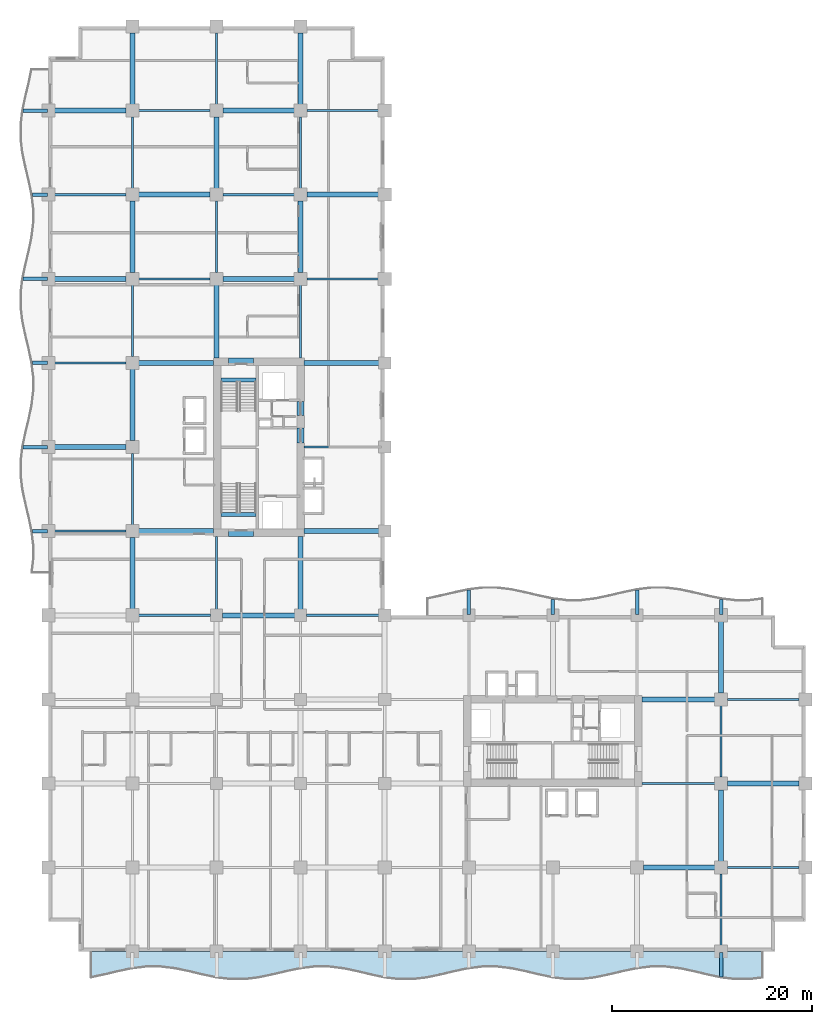
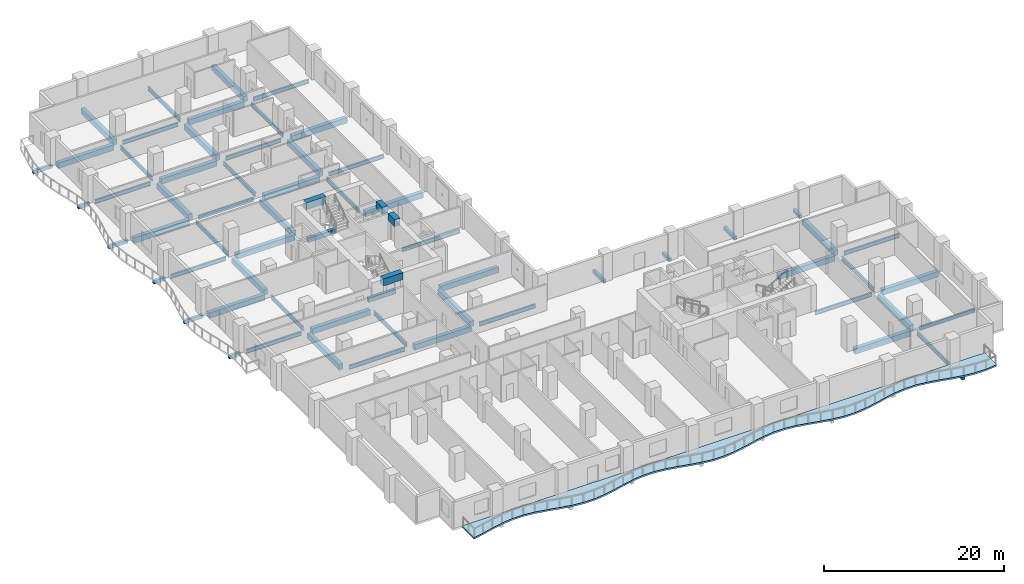
# One storey, part 2 of 17: 67 beams, 1 slab.
"""IFC4 building model written with IfcOpenShell, lengths in metres."""

from ifc_helpers import new_model, si_unit, direction, frame, origin, origin_2d, place, context, subcontext, project, spatial, polyline, rectangle, i_section, outline, extrude, material, layer, layer_set, material_profile, profile_set, type_object, element, save


model = new_model("IFC4")

# Units and contexts
model_context = context("Model", 3, precision=1e-05, world=origin(), true_north=direction((0.0, 1.0)))
body_context = subcontext(model_context, "Body", "Model", "MODEL_VIEW")
ifc_project = project(units=[si_unit("LENGTHUNIT", "METRE"), si_unit("AREAUNIT", "SQUARE_METRE"), si_unit("VOLUMEUNIT", "CUBIC_METRE"), si_unit("PLANEANGLEUNIT", "RADIAN"), si_unit("MASSUNIT", "GRAM", prefix="KILO")], contexts=[model_context])

# Site, building, storey
site_placement = place(None, origin())
site = spatial("IfcSite", under=ifc_project, at=site_placement, CompositionType="ELEMENT")
building_placement = place(site_placement, origin())
building = spatial("IfcBuilding", under=site, at=building_placement, Name="Koriwani Terraces Tower", CompositionType="ELEMENT")
storey_placement = place(building_placement, frame((0.0, 0.0, 122.800048828125)))
storey = spatial("IfcBuildingStorey", under=building, at=storey_placement, Name="L29", CompositionType="ELEMENT", Elevation=122.800048828125)

# Beams
ifc_material_1 = material(Name="Concrete C40/50", Category="concrete")
ifc_material_profile_1 = material_profile(ifc_material_1, rectangle(XDim=0.35009765625, YDim=0.449951171875, at=origin_2d()), Name="Concrete C40/50", Category="LoadBearing")
ifc_profile_set_1 = profile_set([ifc_material_profile_1], Name="Concrete C40/50")
beam_type_1 = type_object("IfcBeamType", Name="BEAM_RC_BALCONY_RIB_350X450", PredefinedType="JOIST", material=ifc_profile_set_1)
beam_1_placement = place(storey_placement, frame((67.199951171875, -2.509521484375, -0.47509765625), z_axis=(0.0, 1.0, 0.0), x_axis=(-1.0, 0.0, 0.0)))
element("IfcBeam", 1, at=beam_1_placement, inside=storey, type_object=beam_type_1, Name="L29 Balcony Bracket Rib S-8", PredefinedType="JOIST", context=body_context, shape_type="SweptSolid", body=[
    extrude(rectangle(XDim=0.35009765625, YDim=0.449951171875, at=origin_2d()), origin(), (0.0, 0.0, 1.0), 2.409423828125),
])
beam_2_placement = place(storey_placement, frame((-1.59033203125, 42.0, -0.47509765625), z_axis=(1.0, 0.0, 0.0), x_axis=(0.0, 1.0, 0.0)))
element("IfcBeam", 2, at=beam_2_placement, inside=storey, type_object=beam_type_1, Name="L29 Balcony Bracket Rib W-1", PredefinedType="JOIST", context=body_context, shape_type="SweptSolid", body=[
    extrude(rectangle(XDim=0.35009765625, YDim=0.449951171875, at=origin_2d()), origin(), (0.0, 0.0, 1.0), 1.490234375),
])
beam_3_placement = place(storey_placement, frame((-2.509521484375, 50.39990234375, -0.47509765625), z_axis=(1.0, 0.0, 0.0), x_axis=(0.0, 1.0, 0.0)))
element("IfcBeam", 3, at=beam_3_placement, inside=storey, type_object=beam_type_1, Name="L29 Balcony Bracket Rib W-2", PredefinedType="JOIST", context=body_context, shape_type="SweptSolid", body=[
    extrude(rectangle(XDim=0.35009765625, YDim=0.449951171875, at=origin_2d()), origin(), (0.0, 0.0, 1.0), 2.409423828125),
])
beam_4_placement = place(storey_placement, frame((-1.59033203125, 58.800048828125, -0.47509765625), z_axis=(1.0, 0.0, 0.0), x_axis=(0.0, 1.0, 0.0)))
element("IfcBeam", 4, at=beam_4_placement, inside=storey, type_object=beam_type_1, Name="L29 Balcony Bracket Rib W-3", PredefinedType="JOIST", context=body_context, shape_type="SweptSolid", body=[
    extrude(rectangle(XDim=0.35009765625, YDim=0.449951171875, at=origin_2d()), origin(), (0.0, 0.0, 1.0), 1.490234375),
])
beam_5_placement = place(storey_placement, frame((-2.509521484375, 67.199951171875, -0.47509765625), z_axis=(1.0, 0.0, 0.0), x_axis=(0.0, 1.0, 0.0)))
element("IfcBeam", 5, at=beam_5_placement, inside=storey, type_object=beam_type_1, Name="L29 Balcony Bracket Rib W-4", PredefinedType="JOIST", context=body_context, shape_type="SweptSolid", body=[
    extrude(rectangle(XDim=0.35009765625, YDim=0.449951171875, at=origin_2d()), origin(), (0.0, 0.0, 1.0), 2.409423828125),
])
beam_6_placement = place(storey_placement, frame((-1.59033203125, 75.60009765625, -0.47509765625), z_axis=(1.0, 0.0, 0.0), x_axis=(0.0, 1.0, 0.0)))
element("IfcBeam", 6, at=beam_6_placement, inside=storey, type_object=beam_type_1, Name="L29 Balcony Bracket Rib W-5", PredefinedType="JOIST", context=body_context, shape_type="SweptSolid", body=[
    extrude(rectangle(XDim=0.35009765625, YDim=0.449951171875, at=origin_2d()), origin(), (0.0, 0.0, 1.0), 1.490234375),
])
beam_7_placement = place(storey_placement, frame((-2.509521484375, 84.0, -0.47509765625), z_axis=(1.0, 0.0, 0.0), x_axis=(0.0, 1.0, 0.0)))
element("IfcBeam", 7, at=beam_7_placement, inside=storey, type_object=beam_type_1, Name="L29 Balcony Bracket Rib W-6", PredefinedType="JOIST", context=body_context, shape_type="SweptSolid", body=[
    extrude(rectangle(XDim=0.35009765625, YDim=0.449951171875, at=origin_2d()), origin(), (0.0, 0.0, 1.0), 2.409423828125),
])
beam_8_placement = place(storey_placement, frame((42.0, 33.699951171875, -0.47509765625), z_axis=(0.0, 1.0, 0.0), x_axis=(-1.0, 0.0, 0.0)))
element("IfcBeam", 8, at=beam_8_placement, inside=storey, type_object=beam_type_1, Name="L29 Balcony Bracket Rib NE-1", PredefinedType="JOIST", context=body_context, shape_type="SweptSolid", body=[
    extrude(rectangle(XDim=0.35009765625, YDim=0.449951171875, at=origin_2d()), origin(), (0.0, 0.0, 1.0), 2.40966796875),
])
beam_9_placement = place(storey_placement, frame((50.39990234375, 33.699951171875, -0.47509765625), z_axis=(0.0, 1.0, 0.0), x_axis=(-1.0, 0.0, 0.0)))
element("IfcBeam", 9, at=beam_9_placement, inside=storey, type_object=beam_type_1, Name="L29 Balcony Bracket Rib NE-2", PredefinedType="JOIST", context=body_context, shape_type="SweptSolid", body=[
    extrude(rectangle(XDim=0.35009765625, YDim=0.449951171875, at=origin_2d()), origin(), (0.0, 0.0, 1.0), 1.490478515625),
])
beam_10_placement = place(storey_placement, frame((58.800048828125, 33.699951171875, -0.47509765625), z_axis=(0.0, 1.0, 0.0), x_axis=(-1.0, 0.0, 0.0)))
element("IfcBeam", 10, at=beam_10_placement, inside=storey, type_object=beam_type_1, Name="L29 Balcony Bracket Rib NE-3", PredefinedType="JOIST", context=body_context, shape_type="SweptSolid", body=[
    extrude(rectangle(XDim=0.35009765625, YDim=0.449951171875, at=origin_2d()), origin(), (0.0, 0.0, 1.0), 2.40966796875),
])
beam_11_placement = place(storey_placement, frame((67.199951171875, 33.699951171875, -0.47509765625), z_axis=(0.0, 1.0, 0.0), x_axis=(-1.0, 0.0, 0.0)))
element("IfcBeam", 11, at=beam_11_placement, inside=storey, type_object=beam_type_1, Name="L29 Balcony Bracket Rib NE-4", PredefinedType="JOIST", context=body_context, shape_type="SweptSolid", body=[
    extrude(rectangle(XDim=0.35009765625, YDim=0.449951171875, at=origin_2d()), origin(), (0.0, 0.0, 1.0), 1.490478515625),
])
ifc_material_2 = material(Name="Concrete C60/75", Category="concrete")
ifc_material_profile_2 = material_profile(ifc_material_2, rectangle(XDim=0.699951171875, YDim=0.949951171875, at=origin_2d()), Name="Concrete C60/75", Category="LoadBearing")
ifc_profile_set_2 = profile_set([ifc_material_profile_2], Name="Concrete C60/75")
beam_type_2 = type_object("IfcBeamType", Name="BEAM_RC_COUPLING_700X950", PredefinedType="LINTEL", material=ifc_profile_set_2)
beam_12_placement = place(storey_placement, frame((25.199951171875, 50.800048828125, 3.074951171875), z_axis=(0.0, 1.0, 0.0), x_axis=(-1.0, 0.0, 0.0)))
element("IfcBeam", 12, at=beam_12_placement, inside=storey, type_object=beam_type_2, Name="L29 Core Coupling Lintel Beam WE1", PredefinedType="LINTEL", context=body_context, shape_type="SweptSolid", body=[
    extrude(rectangle(XDim=0.699951171875, YDim=0.949951171875, at=origin_2d()), origin(), (0.0, 0.0, 1.0), 1.47998046875),
])
beam_13_placement = place(storey_placement, frame((25.199951171875, 53.550048828125, 3.074951171875), z_axis=(0.0, 1.0, 0.0), x_axis=(-1.0, 0.0, 0.0)))
element("IfcBeam", 13, at=beam_13_placement, inside=storey, type_object=beam_type_2, Name="L29 Core Coupling Lintel Beam WE2", PredefinedType="LINTEL", context=body_context, shape_type="SweptSolid", body=[
    extrude(rectangle(XDim=0.699951171875, YDim=0.949951171875, at=origin_2d()), origin(), (0.0, 0.0, 1.0), 1.39990234375),
])
for number, where, z_axis, x_axis, name in (
    (14, (18.0, 41.824951171875, 3.074951171875), (1.0, 0.0, 0.0), (0.0, 1.0, 0.0), "L29 Core Coupling Lintel Beam WS"),
    (15, (18.0, 58.925048828125, 3.074951171875), (1.0, 0.0, 0.0), (0.0, 1.0, 0.0), "L29 Core Coupling Lintel Beam WN"),
):
    element("IfcBeam", number, at=place(storey_placement, frame(where, z_axis=z_axis, x_axis=x_axis)), inside=storey, type_object=beam_type_2, Name=name, PredefinedType="LINTEL", context=body_context, shape_type="SweptSolid", body=[
        extrude(rectangle(XDim=0.699951171875, YDim=0.949951171875, at=origin_2d()), origin(), (0.0, 0.0, 1.0), 2.5),
    ])
ifc_material_profile_3 = material_profile(ifc_material_1, rectangle(XDim=0.39990234375, YDim=0.60009765625, at=origin_2d()), Name="Concrete C40/50", Category="LoadBearing")
ifc_profile_set_3 = profile_set([ifc_material_profile_3], Name="Concrete C40/50")
beam_type_3 = type_object("IfcBeamType", Name="BEAM_RC_GRID_400X600", PredefinedType="BEAM", material=ifc_profile_set_3)
for number, where, z_axis, x_axis, name in (
    (16, (17.25, 43.655029296875, -0.300048828125), (1.0, 0.0, 0.0), (0.0, 1.0, 0.0), "L29 Stairwell Header Trimmer Beam ST-W1"),
    (17, (17.25, 57.094970703125, -0.300048828125), (1.0, 0.0, 0.0), (0.0, 1.0, 0.0), "L29 Stairwell Header Trimmer Beam ST-W2"),
):
    element("IfcBeam", number, at=place(storey_placement, frame(where, z_axis=z_axis, x_axis=x_axis)), inside=storey, type_object=beam_type_3, Name=name, PredefinedType="BEAM", context=body_context, shape_type="SweptSolid", body=[
        extrude(rectangle(XDim=0.39990234375, YDim=0.60009765625, at=origin_2d()), origin(), (0.0, 0.0, 1.0), 3.5),
    ])
ifc_material_3 = material(Name="Concrete C50/60", Category="concrete")
ifc_material_profile_4 = material_profile(ifc_material_3, rectangle(XDim=0.5, YDim=0.75, at=origin_2d()), Name="Concrete C50/60", Category="LoadBearing")
ifc_profile_set_4 = profile_set([ifc_material_profile_4], Name="Concrete C50/60")
beam_type_4 = type_object("IfcBeamType", Name="BEAM_RC_GRID_500X750", PredefinedType="BEAM", material=ifc_profile_set_4)
beam_14_placement = place(storey_placement, frame((59.429931640625, 8.39990234375, -0.625), z_axis=(1.0, 0.0, 0.0), x_axis=(0.0, 1.0, 0.0)))
element("IfcBeam", 18, at=beam_14_placement, inside=storey, type_object=beam_type_4, Name="L29 Grid Beam B (58.8-67.2m)", PredefinedType="BEAM", context=body_context, shape_type="SweptSolid", body=[
    extrude(rectangle(XDim=0.5, YDim=0.75, at=origin_2d()), origin(), (0.0, 0.0, 1.0), 7.14013671875),
])
beam_15_placement = place(storey_placement, frame((67.830078125, 16.800048828125, -0.625), z_axis=(1.0, 0.0, 0.0), x_axis=(0.0, 1.0, 0.0)))
element("IfcBeam", 19, at=beam_15_placement, inside=storey, type_object=beam_type_4, Name="L29 Grid Beam C (67.2-75.6m)", PredefinedType="BEAM", context=body_context, shape_type="SweptSolid", body=[
    extrude(rectangle(XDim=0.5, YDim=0.75, at=origin_2d()), origin(), (0.0, 0.0, 1.0), 7.139892578125),
])
beam_16_placement = place(storey_placement, frame((59.280029296875, 25.199951171875, -0.625), z_axis=(1.0, 0.0, 0.0), x_axis=(0.0, 1.0, 0.0)))
element("IfcBeam", 20, at=beam_16_placement, inside=storey, type_object=beam_type_4, Name="L29 Grid Beam D (58.8-67.2m)", PredefinedType="BEAM", context=body_context, shape_type="SweptSolid", body=[
    extrude(rectangle(XDim=0.5, YDim=0.75, at=origin_2d()), origin(), (0.0, 0.0, 1.0), 7.2900390625),
])
beam_17_placement = place(storey_placement, frame((17.3798828125, 33.60009765625, -0.625), z_axis=(1.0, 0.0, 0.0), x_axis=(0.0, 1.0, 0.0)))
element("IfcBeam", 21, at=beam_17_placement, inside=storey, type_object=beam_type_4, Name="L29 Grid Beam E (16.8-25.2m)", PredefinedType="BEAM", context=body_context, shape_type="SweptSolid", body=[
    extrude(rectangle(XDim=0.5, YDim=0.75, at=origin_2d()), origin(), (0.0, 0.0, 1.0), 7.240234375),
])
beam_18_placement = place(storey_placement, frame((9.030029296875, 42.0, -0.625), z_axis=(1.0, 0.0, 0.0), x_axis=(0.0, 1.0, 0.0)))
element("IfcBeam", 22, at=beam_18_placement, inside=storey, type_object=beam_type_4, Name="L29 Grid Beam F (8.4-16.8m)", PredefinedType="BEAM", context=body_context, shape_type="SweptSolid", body=[
    extrude(rectangle(XDim=0.5, YDim=0.75, at=origin_2d()), origin(), (0.0, 0.0, 1.0), 7.489990234375),
])
beam_19_placement = place(storey_placement, frame((25.554931640625, 42.0, -0.625), z_axis=(1.0, 0.0, 0.0), x_axis=(0.0, 1.0, 0.0)))
element("IfcBeam", 23, at=beam_19_placement, inside=storey, type_object=beam_type_4, Name="L29 Grid Beam F (25.2-33.6m)", PredefinedType="BEAM", context=body_context, shape_type="SweptSolid", body=[
    extrude(rectangle(XDim=0.5, YDim=0.75, at=origin_2d()), origin(), (0.0, 0.0, 1.0), 7.465087890625),
])
beam_20_placement = place(storey_placement, frame((0.6298828125, 50.39990234375, -0.625), z_axis=(1.0, 0.0, 0.0), x_axis=(0.0, 1.0, 0.0)))
element("IfcBeam", 24, at=beam_20_placement, inside=storey, type_object=beam_type_4, Name="L29 Grid Beam G (0.0-8.4m)", PredefinedType="BEAM", context=body_context, shape_type="SweptSolid", body=[
    extrude(rectangle(XDim=0.5, YDim=0.75, at=origin_2d()), origin(), (0.0, 0.0, 1.0), 7.14013671875),
])
beam_21_placement = place(storey_placement, frame((9.030029296875, 58.800048828125, -0.625), z_axis=(1.0, 0.0, 0.0), x_axis=(0.0, 1.0, 0.0)))
element("IfcBeam", 25, at=beam_21_placement, inside=storey, type_object=beam_type_4, Name="L29 Grid Beam H (8.4-16.8m)", PredefinedType="BEAM", context=body_context, shape_type="SweptSolid", body=[
    extrude(rectangle(XDim=0.5, YDim=0.75, at=origin_2d()), origin(), (0.0, 0.0, 1.0), 7.489990234375),
])
beam_22_placement = place(storey_placement, frame((25.554931640625, 58.800048828125, -0.625), z_axis=(1.0, 0.0, 0.0), x_axis=(0.0, 1.0, 0.0)))
element("IfcBeam", 26, at=beam_22_placement, inside=storey, type_object=beam_type_4, Name="L29 Grid Beam H (25.2-33.6m)", PredefinedType="BEAM", context=body_context, shape_type="SweptSolid", body=[
    extrude(rectangle(XDim=0.5, YDim=0.75, at=origin_2d()), origin(), (0.0, 0.0, 1.0), 7.465087890625),
])
for number, where, z_axis, x_axis, name in (
    (27, (0.6298828125, 67.199951171875, -0.625), (1.0, 0.0, 0.0), (0.0, 1.0, 0.0), "L29 Grid Beam I (0.0-8.4m)"),
    (28, (17.429931640625, 67.199951171875, -0.625), (1.0, 0.0, 0.0), (0.0, 1.0, 0.0), "L29 Grid Beam I (16.8-25.2m)"),
):
    element("IfcBeam", number, at=place(storey_placement, frame(where, z_axis=z_axis, x_axis=x_axis)), inside=storey, type_object=beam_type_4, Name=name, PredefinedType="BEAM", context=body_context, shape_type="SweptSolid", body=[
        extrude(rectangle(XDim=0.5, YDim=0.75, at=origin_2d()), origin(), (0.0, 0.0, 1.0), 7.14013671875),
    ])
for number, where, z_axis, x_axis, name in (
    (29, (9.030029296875, 75.60009765625, -0.625), (1.0, 0.0, 0.0), (0.0, 1.0, 0.0), "L29 Grid Beam J (8.4-16.8m)"),
    (30, (25.830078125, 75.60009765625, -0.625), (1.0, 0.0, 0.0), (0.0, 1.0, 0.0), "L29 Grid Beam J (25.2-33.6m)"),
):
    element("IfcBeam", number, at=place(storey_placement, frame(where, z_axis=z_axis, x_axis=x_axis)), inside=storey, type_object=beam_type_4, Name=name, PredefinedType="BEAM", context=body_context, shape_type="SweptSolid", body=[
        extrude(rectangle(XDim=0.5, YDim=0.75, at=origin_2d()), origin(), (0.0, 0.0, 1.0), 7.139892578125),
    ])
for number, where, z_axis, x_axis, name in (
    (31, (0.6298828125, 84.0, -0.625), (1.0, 0.0, 0.0), (0.0, 1.0, 0.0), "L29 Grid Beam K (0.0-8.4m)"),
    (32, (17.429931640625, 84.0, -0.625), (1.0, 0.0, 0.0), (0.0, 1.0, 0.0), "L29 Grid Beam K (16.8-25.2m)"),
    (33, (8.39990234375, 34.22998046875, -0.625), (0.0, 1.0, 0.0), (-1.0, 0.0, 0.0), "L29 Grid Beam 2 (33.6-42.0m)"),
):
    element("IfcBeam", number, at=place(storey_placement, frame(where, z_axis=z_axis, x_axis=x_axis)), inside=storey, type_object=beam_type_4, Name=name, PredefinedType="BEAM", context=body_context, shape_type="SweptSolid", body=[
        extrude(rectangle(XDim=0.5, YDim=0.75, at=origin_2d()), origin(), (0.0, 0.0, 1.0), 7.14013671875),
    ])
for number, where, z_axis, x_axis, name in (
    (34, (8.39990234375, 51.030029296875, -0.625), (0.0, 1.0, 0.0), (-1.0, 0.0, 0.0), "L29 Grid Beam 2 (50.4-58.8m)"),
    (35, (8.39990234375, 67.830078125, -0.625), (0.0, 1.0, 0.0), (-1.0, 0.0, 0.0), "L29 Grid Beam 2 (67.2-75.6m)"),
):
    element("IfcBeam", number, at=place(storey_placement, frame(where, z_axis=z_axis, x_axis=x_axis)), inside=storey, type_object=beam_type_4, Name=name, PredefinedType="BEAM", context=body_context, shape_type="SweptSolid", body=[
        extrude(rectangle(XDim=0.5, YDim=0.75, at=origin_2d()), origin(), (0.0, 0.0, 1.0), 7.139892578125),
    ])
beam_23_placement = place(storey_placement, frame((8.39990234375, 84.6298828125, -0.625), z_axis=(0.0, 1.0, 0.0), x_axis=(-1.0, 0.0, 0.0)))
element("IfcBeam", 36, at=beam_23_placement, inside=storey, type_object=beam_type_4, Name="L29 Grid Beam 2 (84.0-92.4m)", PredefinedType="BEAM", context=body_context, shape_type="SweptSolid", body=[
    extrude(rectangle(XDim=0.5, YDim=0.75, at=origin_2d()), origin(), (0.0, 0.0, 1.0), 7.14013671875),
])
beam_24_placement = place(storey_placement, frame((16.800048828125, 59.280029296875, -0.625), z_axis=(0.0, 1.0, 0.0), x_axis=(-1.0, 0.0, 0.0)))
element("IfcBeam", 37, at=beam_24_placement, inside=storey, type_object=beam_type_4, Name="L29 Grid Beam 3 (58.8-67.2m)", PredefinedType="BEAM", context=body_context, shape_type="SweptSolid", body=[
    extrude(rectangle(XDim=0.5, YDim=0.75, at=origin_2d()), origin(), (0.0, 0.0, 1.0), 7.2900390625),
])
beam_25_placement = place(storey_placement, frame((16.800048828125, 76.22998046875, -0.625), z_axis=(0.0, 1.0, 0.0), x_axis=(-1.0, 0.0, 0.0)))
element("IfcBeam", 38, at=beam_25_placement, inside=storey, type_object=beam_type_4, Name="L29 Grid Beam 3 (75.6-84.0m)", PredefinedType="BEAM", context=body_context, shape_type="SweptSolid", body=[
    extrude(rectangle(XDim=0.5, YDim=0.75, at=origin_2d()), origin(), (0.0, 0.0, 1.0), 7.14013671875),
])
beam_26_placement = place(storey_placement, frame((25.199951171875, 34.179931640625, -0.625), z_axis=(0.0, 1.0, 0.0), x_axis=(-1.0, 0.0, 0.0)))
element("IfcBeam", 39, at=beam_26_placement, inside=storey, type_object=beam_type_4, Name="L29 Grid Beam 4 (33.6-42.0m)", PredefinedType="BEAM", context=body_context, shape_type="SweptSolid", body=[
    extrude(rectangle(XDim=0.5, YDim=0.75, at=origin_2d()), origin(), (0.0, 0.0, 1.0), 7.2900390625),
])
beam_27_placement = place(storey_placement, frame((25.199951171875, 67.830078125, -0.625), z_axis=(0.0, 1.0, 0.0), x_axis=(-1.0, 0.0, 0.0)))
element("IfcBeam", 40, at=beam_27_placement, inside=storey, type_object=beam_type_4, Name="L29 Grid Beam 4 (67.2-75.6m)", PredefinedType="BEAM", context=body_context, shape_type="SweptSolid", body=[
    extrude(rectangle(XDim=0.5, YDim=0.75, at=origin_2d()), origin(), (0.0, 0.0, 1.0), 7.139892578125),
])
beam_28_placement = place(storey_placement, frame((25.199951171875, 84.6298828125, -0.625), z_axis=(0.0, 1.0, 0.0), x_axis=(-1.0, 0.0, 0.0)))
element("IfcBeam", 41, at=beam_28_placement, inside=storey, type_object=beam_type_4, Name="L29 Grid Beam 4 (84.0-92.4m)", PredefinedType="BEAM", context=body_context, shape_type="SweptSolid", body=[
    extrude(rectangle(XDim=0.5, YDim=0.75, at=origin_2d()), origin(), (0.0, 0.0, 1.0), 7.14013671875),
])
for number, where, z_axis, x_axis, name in (
    (42, (67.199951171875, 9.030029296875, -0.625), (0.0, 1.0, 0.0), (-1.0, 0.0, 0.0), "L29 Grid Beam 9 (8.4-16.8m)"),
    (43, (67.199951171875, 25.830078125, -0.625), (0.0, 1.0, 0.0), (-1.0, 0.0, 0.0), "L29 Grid Beam 9 (25.2-33.6m)"),
):
    element("IfcBeam", number, at=place(storey_placement, frame(where, z_axis=z_axis, x_axis=x_axis)), inside=storey, type_object=beam_type_4, Name=name, PredefinedType="BEAM", context=body_context, shape_type="SweptSolid", body=[
        extrude(rectangle(XDim=0.5, YDim=0.75, at=origin_2d()), origin(), (0.0, 0.0, 1.0), 7.139892578125),
    ])
ifc_material_4 = material(Name="Steel ASTM A572 Grade 50", Category="steel")
ifc_material_profile_5 = material_profile(ifc_material_4, i_section(OverallWidth=0.2109375, OverallDepth=0.5390625, WebThickness=0.01171875, FlangeThickness=0.018798828125, at=origin_2d()), Name="Steel ASTM A572 Grade 50", Category="LoadBearing")
ifc_profile_set_5 = profile_set([ifc_material_profile_5], Name="Steel ASTM A572 Grade 50")
beam_type_5 = type_object("IfcBeamType", Name="STEEL_BEAM_W530X109", PredefinedType="BEAM", material=ifc_profile_set_5)
beam_29_placement = place(storey_placement, frame((67.830078125, 8.39990234375, -0.51953125), z_axis=(1.0, 0.0, 0.0), x_axis=(0.0, 1.0, 0.0)))
element("IfcBeam", 44, at=beam_29_placement, inside=storey, type_object=beam_type_5, Name="L29 Grid Beam B (67.2-75.6m)", PredefinedType="BEAM", context=body_context, shape_type="SweptSolid", body=[
    extrude(i_section(OverallWidth=0.2109375, OverallDepth=0.5390625, WebThickness=0.01171875, FlangeThickness=0.018798828125, at=origin_2d()), origin(), (0.0, 0.0, 1.0), 7.139892578125),
])
beam_30_placement = place(storey_placement, frame((59.280029296875, 16.800048828125, -0.51953125), z_axis=(1.0, 0.0, 0.0), x_axis=(0.0, 1.0, 0.0)))
element("IfcBeam", 45, at=beam_30_placement, inside=storey, type_object=beam_type_5, Name="L29 Grid Beam C (58.8-67.2m)", PredefinedType="BEAM", context=body_context, shape_type="SweptSolid", body=[
    extrude(i_section(OverallWidth=0.2109375, OverallDepth=0.5390625, WebThickness=0.01171875, FlangeThickness=0.018798828125, at=origin_2d()), origin(), (0.0, 0.0, 1.0), 7.2900390625),
])
beam_31_placement = place(storey_placement, frame((67.830078125, 25.199951171875, -0.51953125), z_axis=(1.0, 0.0, 0.0), x_axis=(0.0, 1.0, 0.0)))
element("IfcBeam", 46, at=beam_31_placement, inside=storey, type_object=beam_type_5, Name="L29 Grid Beam D (67.2-75.6m)", PredefinedType="BEAM", context=body_context, shape_type="SweptSolid", body=[
    extrude(i_section(OverallWidth=0.2109375, OverallDepth=0.5390625, WebThickness=0.01171875, FlangeThickness=0.018798828125, at=origin_2d()), origin(), (0.0, 0.0, 1.0), 7.139892578125),
])
beam_32_placement = place(storey_placement, frame((9.030029296875, 33.60009765625, -0.51953125), z_axis=(1.0, 0.0, 0.0), x_axis=(0.0, 1.0, 0.0)))
element("IfcBeam", 47, at=beam_32_placement, inside=storey, type_object=beam_type_5, Name="L29 Grid Beam E (8.4-16.8m)", PredefinedType="BEAM", context=body_context, shape_type="SweptSolid", body=[
    extrude(i_section(OverallWidth=0.2109375, OverallDepth=0.5390625, WebThickness=0.01171875, FlangeThickness=0.018798828125, at=origin_2d()), origin(), (0.0, 0.0, 1.0), 7.18994140625),
])
beam_33_placement = place(storey_placement, frame((25.780029296875, 33.60009765625, -0.51953125), z_axis=(1.0, 0.0, 0.0), x_axis=(0.0, 1.0, 0.0)))
element("IfcBeam", 48, at=beam_33_placement, inside=storey, type_object=beam_type_5, Name="L29 Grid Beam E (25.2-33.6m)", PredefinedType="BEAM", context=body_context, shape_type="SweptSolid", body=[
    extrude(i_section(OverallWidth=0.2109375, OverallDepth=0.5390625, WebThickness=0.01171875, FlangeThickness=0.018798828125, at=origin_2d()), origin(), (0.0, 0.0, 1.0), 7.239990234375),
])
beam_34_placement = place(storey_placement, frame((0.6298828125, 42.0, -0.51953125), z_axis=(1.0, 0.0, 0.0), x_axis=(0.0, 1.0, 0.0)))
element("IfcBeam", 49, at=beam_34_placement, inside=storey, type_object=beam_type_5, Name="L29 Grid Beam F (0.0-8.4m)", PredefinedType="BEAM", context=body_context, shape_type="SweptSolid", body=[
    extrude(i_section(OverallWidth=0.2109375, OverallDepth=0.5390625, WebThickness=0.01171875, FlangeThickness=0.018798828125, at=origin_2d()), origin(), (0.0, 0.0, 1.0), 7.14013671875),
])
beam_35_placement = place(storey_placement, frame((25.554931640625, 50.39990234375, -0.51953125), z_axis=(1.0, 0.0, 0.0), x_axis=(0.0, 1.0, 0.0)))
element("IfcBeam", 50, at=beam_35_placement, inside=storey, type_object=beam_type_5, Name="L29 Grid Beam G (25.2-33.6m)", PredefinedType="BEAM", context=body_context, shape_type="SweptSolid", body=[
    extrude(i_section(OverallWidth=0.2109375, OverallDepth=0.5390625, WebThickness=0.01171875, FlangeThickness=0.018798828125, at=origin_2d()), origin(), (0.0, 0.0, 1.0), 7.465087890625),
])
beam_36_placement = place(storey_placement, frame((0.6298828125, 58.800048828125, -0.51953125), z_axis=(1.0, 0.0, 0.0), x_axis=(0.0, 1.0, 0.0)))
element("IfcBeam", 51, at=beam_36_placement, inside=storey, type_object=beam_type_5, Name="L29 Grid Beam H (0.0-8.4m)", PredefinedType="BEAM", context=body_context, shape_type="SweptSolid", body=[
    extrude(i_section(OverallWidth=0.2109375, OverallDepth=0.5390625, WebThickness=0.01171875, FlangeThickness=0.018798828125, at=origin_2d()), origin(), (0.0, 0.0, 1.0), 7.14013671875),
])
for number, where, z_axis, x_axis, name in (
    (52, (9.030029296875, 67.199951171875, -0.51953125), (1.0, 0.0, 0.0), (0.0, 1.0, 0.0), "L29 Grid Beam I (8.4-16.8m)"),
    (53, (25.830078125, 67.199951171875, -0.51953125), (1.0, 0.0, 0.0), (0.0, 1.0, 0.0), "L29 Grid Beam I (25.2-33.6m)"),
):
    element("IfcBeam", number, at=place(storey_placement, frame(where, z_axis=z_axis, x_axis=x_axis)), inside=storey, type_object=beam_type_5, Name=name, PredefinedType="BEAM", context=body_context, shape_type="SweptSolid", body=[
        extrude(i_section(OverallWidth=0.2109375, OverallDepth=0.5390625, WebThickness=0.01171875, FlangeThickness=0.018798828125, at=origin_2d()), origin(), (0.0, 0.0, 1.0), 7.139892578125),
    ])
for number, where, z_axis, x_axis, name in (
    (54, (0.6298828125, 75.60009765625, -0.51953125), (1.0, 0.0, 0.0), (0.0, 1.0, 0.0), "L29 Grid Beam J (0.0-8.4m)"),
    (55, (17.429931640625, 75.60009765625, -0.51953125), (1.0, 0.0, 0.0), (0.0, 1.0, 0.0), "L29 Grid Beam J (16.8-25.2m)"),
):
    element("IfcBeam", number, at=place(storey_placement, frame(where, z_axis=z_axis, x_axis=x_axis)), inside=storey, type_object=beam_type_5, Name=name, PredefinedType="BEAM", context=body_context, shape_type="SweptSolid", body=[
        extrude(i_section(OverallWidth=0.2109375, OverallDepth=0.5390625, WebThickness=0.01171875, FlangeThickness=0.018798828125, at=origin_2d()), origin(), (0.0, 0.0, 1.0), 7.14013671875),
    ])
for number, where, z_axis, x_axis, name in (
    (56, (9.030029296875, 84.0, -0.51953125), (1.0, 0.0, 0.0), (0.0, 1.0, 0.0), "L29 Grid Beam K (8.4-16.8m)"),
    (57, (25.830078125, 84.0, -0.51953125), (1.0, 0.0, 0.0), (0.0, 1.0, 0.0), "L29 Grid Beam K (25.2-33.6m)"),
):
    element("IfcBeam", number, at=place(storey_placement, frame(where, z_axis=z_axis, x_axis=x_axis)), inside=storey, type_object=beam_type_5, Name=name, PredefinedType="BEAM", context=body_context, shape_type="SweptSolid", body=[
        extrude(i_section(OverallWidth=0.2109375, OverallDepth=0.5390625, WebThickness=0.01171875, FlangeThickness=0.018798828125, at=origin_2d()), origin(), (0.0, 0.0, 1.0), 7.139892578125),
    ])
for number, where, z_axis, x_axis, name in (
    (58, (8.39990234375, 42.6298828125, -0.51953125), (0.0, 1.0, 0.0), (-1.0, 0.0, 0.0), "L29 Grid Beam 2 (42.0-50.4m)"),
    (59, (8.39990234375, 59.429931640625, -0.51953125), (0.0, 1.0, 0.0), (-1.0, 0.0, 0.0), "L29 Grid Beam 2 (58.8-67.2m)"),
    (60, (8.39990234375, 76.22998046875, -0.51953125), (0.0, 1.0, 0.0), (-1.0, 0.0, 0.0), "L29 Grid Beam 2 (75.6-84.0m)"),
):
    element("IfcBeam", number, at=place(storey_placement, frame(where, z_axis=z_axis, x_axis=x_axis)), inside=storey, type_object=beam_type_5, Name=name, PredefinedType="BEAM", context=body_context, shape_type="SweptSolid", body=[
        extrude(i_section(OverallWidth=0.2109375, OverallDepth=0.5390625, WebThickness=0.01171875, FlangeThickness=0.018798828125, at=origin_2d()), origin(), (0.0, 0.0, 1.0), 7.14013671875),
    ])
beam_37_placement = place(storey_placement, frame((16.800048828125, 34.179931640625, -0.51953125), z_axis=(0.0, 1.0, 0.0), x_axis=(-1.0, 0.0, 0.0)))
element("IfcBeam", 61, at=beam_37_placement, inside=storey, type_object=beam_type_5, Name="L29 Grid Beam 3 (33.6-42.0m)", PredefinedType="BEAM", context=body_context, shape_type="SweptSolid", body=[
    extrude(i_section(OverallWidth=0.2109375, OverallDepth=0.5390625, WebThickness=0.01171875, FlangeThickness=0.018798828125, at=origin_2d()), origin(), (0.0, 0.0, 1.0), 7.2900390625),
])
beam_38_placement = place(storey_placement, frame((16.800048828125, 67.830078125, -0.51953125), z_axis=(0.0, 1.0, 0.0), x_axis=(-1.0, 0.0, 0.0)))
element("IfcBeam", 62, at=beam_38_placement, inside=storey, type_object=beam_type_5, Name="L29 Grid Beam 3 (67.2-75.6m)", PredefinedType="BEAM", context=body_context, shape_type="SweptSolid", body=[
    extrude(i_section(OverallWidth=0.2109375, OverallDepth=0.5390625, WebThickness=0.01171875, FlangeThickness=0.018798828125, at=origin_2d()), origin(), (0.0, 0.0, 1.0), 7.139892578125),
])
beam_39_placement = place(storey_placement, frame((16.800048828125, 84.6298828125, -0.51953125), z_axis=(0.0, 1.0, 0.0), x_axis=(-1.0, 0.0, 0.0)))
element("IfcBeam", 63, at=beam_39_placement, inside=storey, type_object=beam_type_5, Name="L29 Grid Beam 3 (84.0-92.4m)", PredefinedType="BEAM", context=body_context, shape_type="SweptSolid", body=[
    extrude(i_section(OverallWidth=0.2109375, OverallDepth=0.5390625, WebThickness=0.01171875, FlangeThickness=0.018798828125, at=origin_2d()), origin(), (0.0, 0.0, 1.0), 7.14013671875),
])
beam_40_placement = place(storey_placement, frame((25.199951171875, 59.280029296875, -0.51953125), z_axis=(0.0, 1.0, 0.0), x_axis=(-1.0, 0.0, 0.0)))
element("IfcBeam", 64, at=beam_40_placement, inside=storey, type_object=beam_type_5, Name="L29 Grid Beam 4 (58.8-67.2m)", PredefinedType="BEAM", context=body_context, shape_type="SweptSolid", body=[
    extrude(i_section(OverallWidth=0.2109375, OverallDepth=0.5390625, WebThickness=0.01171875, FlangeThickness=0.018798828125, at=origin_2d()), origin(), (0.0, 0.0, 1.0), 7.2900390625),
])
for number, where, z_axis, x_axis, name in (
    (65, (25.199951171875, 76.22998046875, -0.51953125), (0.0, 1.0, 0.0), (-1.0, 0.0, 0.0), "L29 Grid Beam 4 (75.6-84.0m)"),
    (66, (67.199951171875, 0.6298828125, -0.51953125), (0.0, 1.0, 0.0), (-1.0, 0.0, 0.0), "L29 Grid Beam 9 (0.0-8.4m)"),
    (67, (67.199951171875, 17.429931640625, -0.51953125), (0.0, 1.0, 0.0), (-1.0, 0.0, 0.0), "L29 Grid Beam 9 (16.8-25.2m)"),
):
    element("IfcBeam", number, at=place(storey_placement, frame(where, z_axis=z_axis, x_axis=x_axis)), inside=storey, type_object=beam_type_5, Name=name, PredefinedType="BEAM", context=body_context, shape_type="SweptSolid", body=[
        extrude(i_section(OverallWidth=0.2109375, OverallDepth=0.5390625, WebThickness=0.01171875, FlangeThickness=0.018798828125, at=origin_2d()), origin(), (0.0, 0.0, 1.0), 7.14013671875),
    ])

# Slab
ifc_layer = layer(ifc_material_1, 0.219970703125, Name="Concrete C40/50")
ifc_layer_set = layer_set([ifc_layer], Name="Concrete C40/50")
slab_type = type_object("IfcSlabType", Name="SLAB_BALCONY_220", PredefinedType="FLOOR", material=ifc_layer_set)
slab_placement = place(storey_placement, frame((0.0, 0.0, -0.219970703125)))
element("IfcSlab", 68, at=slab_placement, inside=storey, type_object=slab_type, Name="L29 Quilted Circular-Arc Balcony (S)", PredefinedType="FLOOR", context=body_context, shape_type="SweptSolid", body=[
    extrude(outline(polyline([(4.199951171875, 0.0), (5.60009765625, 0.0), (7.0, 0.0), (8.39990234375, 0.0), (9.800048828125, 0.0), (11.199951171875, 0.0), (12.60009765625, 0.0), (14.0, 0.0), (15.39990234375, 0.0), (16.800048828125, 0.0), (18.199951171875, 0.0), (19.60009765625, 0.0), (21.0, 0.0), (22.39990234375, 0.0), (23.800048828125, 0.0), (25.199951171875, 0.0), (26.60009765625, 0.0), (28.0, 0.0), (29.39990234375, 0.0), (30.800048828125, 0.0), (32.199951171875, 0.0), (33.60009765625, 0.0), (35.0, 0.0), (36.39990234375, 0.0), (37.800048828125, 0.0), (39.199951171875, 0.0), (40.60009765625, 0.0), (42.0, 0.0), (43.39990234375, 0.0), (44.800048828125, 0.0), (46.199951171875, 0.0), (47.60009765625, 0.0), (49.0, 0.0), (50.39990234375, 0.0), (51.800048828125, 0.0), (53.199951171875, 0.0), (54.60009765625, 0.0), (56.0, 0.0), (57.39990234375, 0.0), (58.800048828125, 0.0), (60.199951171875, 0.0), (61.60009765625, 0.0), (63.0, 0.0), (64.39990234375, 0.0), (65.800048828125, 0.0), (67.199951171875, 0.0), (68.60009765625, 0.0), (70.0, 0.0), (71.39990234375, 0.0), (71.39990234375, -2.65966796875), (70.0, -2.827880859375), (68.60009765625, -2.827880859375), (67.199951171875, -2.65966796875), (65.800048828125, -2.3681640625), (64.39990234375, -2.03173828125), (63.0, -1.740478515625), (61.60009765625, -1.572021484375), (60.199951171875, -1.572021484375), (58.800048828125, -1.740478515625), (57.39990234375, -2.03173828125), (56.0, -2.3681640625), (54.60009765625, -2.65966796875), (53.199951171875, -2.827880859375), (51.800048828125, -2.827880859375), (50.39990234375, -2.65966796875), (49.0, -2.3681640625), (47.60009765625, -2.03173828125), (46.199951171875, -1.740478515625), (44.800048828125, -1.572021484375), (43.39990234375, -1.572021484375), (42.0, -1.740478515625), (40.60009765625, -2.03173828125), (39.199951171875, -2.3681640625), (37.800048828125, -2.65966796875), (36.39990234375, -2.827880859375), (35.0, -2.827880859375), (33.60009765625, -2.65966796875), (32.199951171875, -2.3681640625), (30.800048828125, -2.03173828125), (29.39990234375, -1.740478515625), (28.0, -1.572021484375), (26.60009765625, -1.572021484375), (25.199951171875, -1.740478515625), (23.800048828125, -2.03173828125), (22.39990234375, -2.3681640625), (21.0, -2.65966796875), (19.60009765625, -2.827880859375), (18.199951171875, -2.827880859375), (16.800048828125, -2.65966796875), (15.39990234375, -2.3681640625), (14.0, -2.03173828125), (12.60009765625, -1.740478515625), (11.199951171875, -1.572021484375), (9.800048828125, -1.572021484375), (8.39990234375, -1.740478515625), (7.0, -2.03173828125), (5.60009765625, -2.3681640625), (4.199951171875, -2.65966796875), (4.199951171875, 0.0)])), origin(), (0.0, 0.0, 1.0), 0.219970703125),
])

save(model, "model.ifc")
